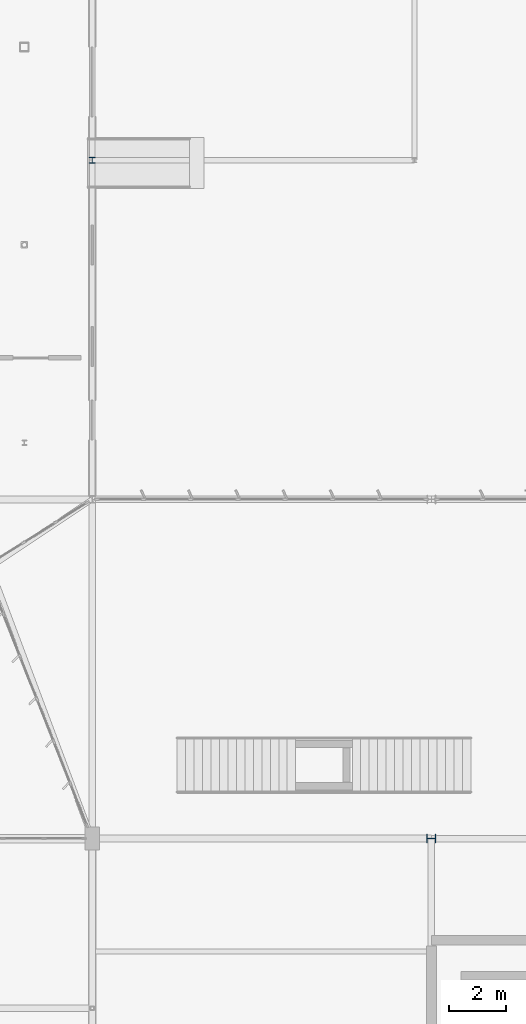
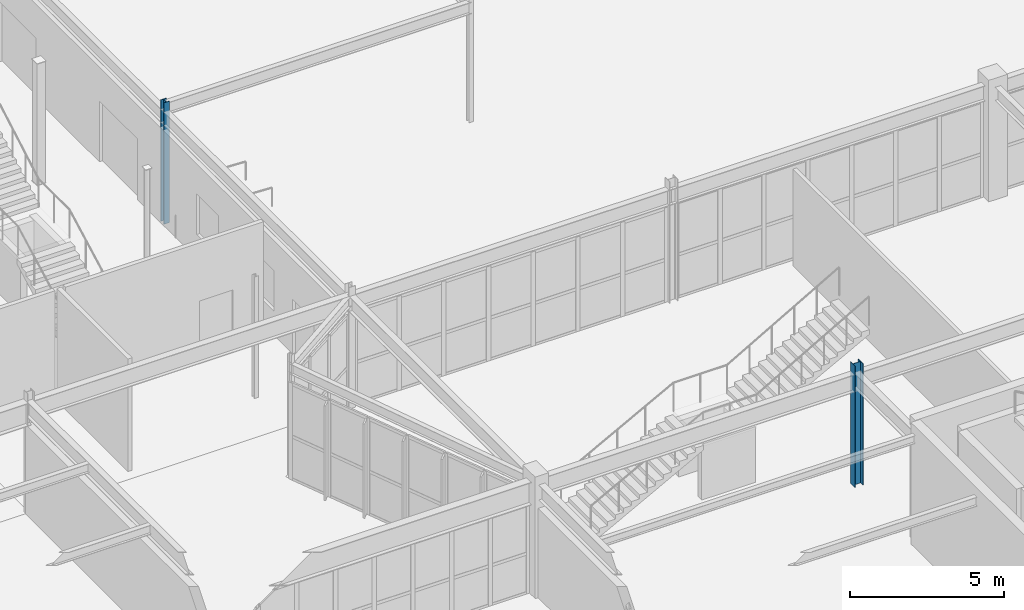
# One storey, part 45 of 199: 2 columns.
"""IFC4 building model written with IfcOpenShell, lengths in metres."""

from ifc_helpers import new_model, si_unit, direction, frame, origin, origin_2d, place, context, subcontext, project, spatial, i_section, extrude, material, material_profile, profile_set, type_object, element, save


model = new_model("IFC4")

# Units and contexts
model_context = context("Model", 3, precision=1e-05, world=origin(), true_north=direction((0.0, 1.0)))
body_context = subcontext(model_context, "Body", "Model", "MODEL_VIEW")
ifc_project = project(units=[si_unit("LENGTHUNIT", "METRE"), si_unit("AREAUNIT", "SQUARE_METRE"), si_unit("VOLUMEUNIT", "CUBIC_METRE"), si_unit("PLANEANGLEUNIT", "RADIAN"), si_unit("MASSUNIT", "GRAM", prefix="KILO")], contexts=[model_context])

# Site, building, storey
site_placement = place(None, origin())
site = spatial("IfcSite", under=ifc_project, at=site_placement, CompositionType="ELEMENT")
building_placement = place(site_placement, origin())
building = spatial("IfcBuilding", under=site, at=building_placement, Name="Tarnwether General Hospital", CompositionType="ELEMENT")
storey_placement = place(building_placement, origin())
storey = spatial("IfcBuildingStorey", under=building, at=storey_placement, Name="L00", CompositionType="ELEMENT", Elevation=0.0)

# Columns
ifc_material_1 = material(Name="Steel Grade 350 (350 MPa)", Category="steel")
ifc_material_profile_1 = material_profile(ifc_material_1, i_section(OverallWidth=0.306884765625, OverallDepth=0.31494140625, WebThickness=0.011962890625, FlangeThickness=0.018798828125, at=origin_2d()), Name="310UC118")
ifc_profile_set_1 = profile_set([ifc_material_profile_1], Name="Steel Grade 350 (350 MPa)")
column_type_1 = type_object("IfcColumnType", Name="COL-07", PredefinedType="COLUMN", material=ifc_profile_set_1)
column_1_placement = place(storey_placement, frame((156.0, 33.60009765625, 0.0), z_axis=(0.0, 0.0, 1.0), x_axis=(0.0, 1.0, 0.0)))
element("IfcColumn", 1, at=column_1_placement, inside=storey, type_object=column_type_1, Name="Column COLG-L00-15600_3360", PredefinedType="COLUMN", context=body_context, shape_type="SweptSolid", body=[
    extrude(i_section(OverallWidth=0.306884765625, OverallDepth=0.31494140625, WebThickness=0.011962890625, FlangeThickness=0.018798828125, at=origin_2d()), origin(), (0.0, 0.0, 1.0), 4.800048828125),
])
ifc_material_2 = material(Name="Steel Grade 350 (350 MPa)", Category="steel")
ifc_material_profile_2 = material_profile(ifc_material_2, i_section(OverallWidth=0.205078125, OverallDepth=0.2099609375, WebThickness=0.00927734375, FlangeThickness=0.01416015625, at=origin_2d()), Name="200UC59.5")
ifc_profile_set_2 = profile_set([ifc_material_profile_2], Name="Steel Grade 350 (350 MPa)")
column_type_2 = type_object("IfcColumnType", Name="COL-25", PredefinedType="COLUMN", material=ifc_profile_set_2)
column_2_placement = place(storey_placement, frame((144.0, 57.60009765625, 0.0), z_axis=(0.0, 0.0, 1.0), x_axis=(1.0, 0.0, 0.0)))
element("IfcColumn", 2, at=column_2_placement, inside=storey, type_object=column_type_2, Name="Column COLG-L00-14400_5760", PredefinedType="COLUMN", context=body_context, shape_type="SweptSolid", body=[
    extrude(i_section(OverallWidth=0.205078125, OverallDepth=0.2099609375, WebThickness=0.00927734375, FlangeThickness=0.01416015625, at=origin_2d()), origin(), (0.0, 0.0, 1.0), 4.800048828125),
])

save(model, "model.ifc")
